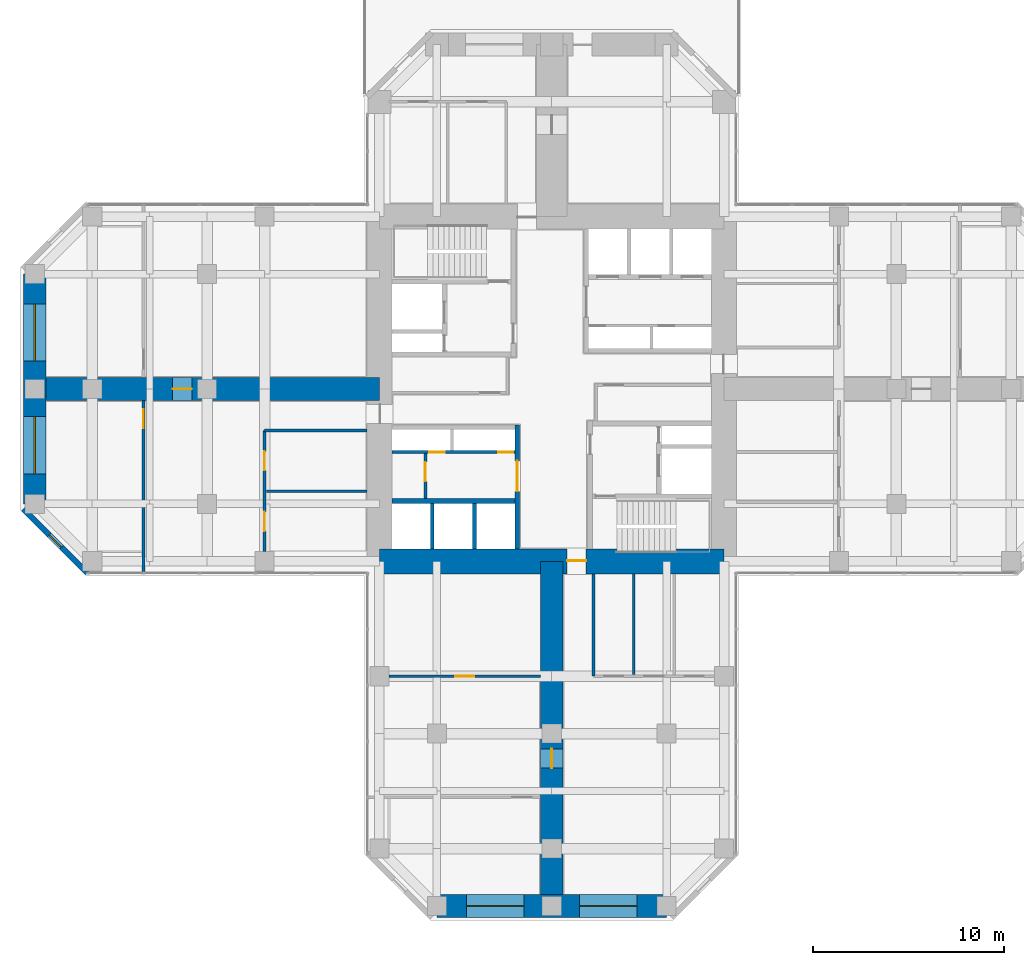
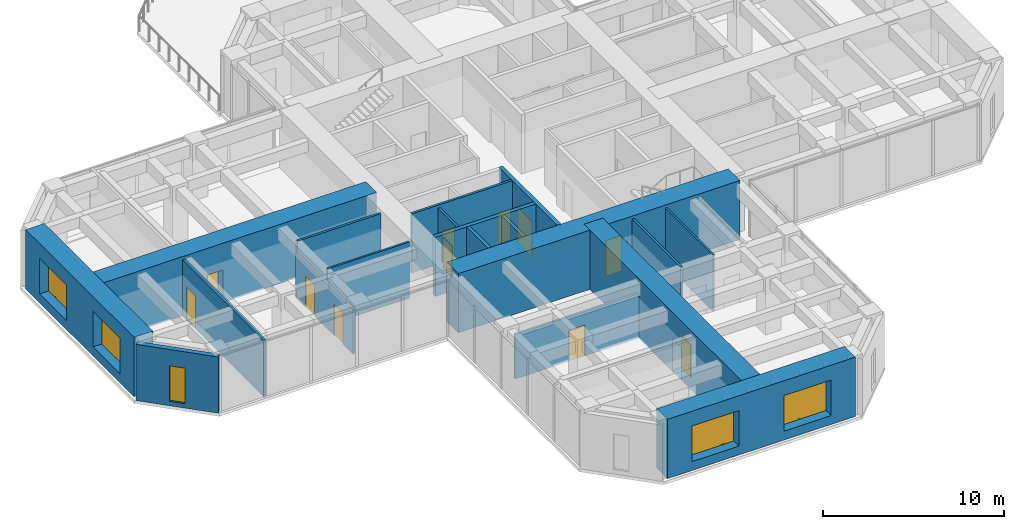
# One storey, part 8 of 12: 19 walls, 11 doors, 5 windows, 16 openings.
"""IFC4 building model written with IfcOpenShell, lengths in metres."""

from ifc_helpers import new_model, si_unit, direction, frame, frame_2d, origin, place, context, subcontext, project, spatial, rectangle, hollow_rectangle, extrude, material, layer, layer_set, constituent, constituent_set, type_object, element, fill, save


model = new_model("IFC4")

# Units and contexts
model_context = context("Model", 3, precision=1e-05, world=origin(), true_north=direction((0.0, 1.0)))
body_context = subcontext(model_context, "Body", "Model", "MODEL_VIEW")
ifc_project = project(units=[si_unit("LENGTHUNIT", "METRE"), si_unit("AREAUNIT", "SQUARE_METRE"), si_unit("VOLUMEUNIT", "CUBIC_METRE"), si_unit("PLANEANGLEUNIT", "RADIAN"), si_unit("MASSUNIT", "GRAM", prefix="KILO")], contexts=[model_context])

# Site, building, storey
site_placement = place(None, origin())
site = spatial("IfcSite", under=ifc_project, at=site_placement, CompositionType="ELEMENT")
building_placement = place(site_placement, origin())
building = spatial("IfcBuilding", under=site, at=building_placement, Name="Torre Cruceta", CompositionType="ELEMENT")
storey_placement = place(building_placement, frame((0.0, 0.0, 100.5)))
storey = spatial("IfcBuildingStorey", under=building, at=storey_placement, Name="L24", CompositionType="ELEMENT", Elevation=100.5)

# Wall, opening, door
ifc_material_1 = material(Name="Concrete G60 (fck 60 MPa)", Category="concrete")
ifc_layer_1 = layer(ifc_material_1, 0.25)
ifc_layer_set_1 = layer_set([ifc_layer_1], Name="Concrete G60 (fck 60 MPa)")
wall_type_1 = type_object("IfcWallType", Name="CORE INNER WALL 250 G60", PredefinedType="SHEAR", material=ifc_layer_set_1)
wall_1_placement = place(storey_placement, frame((-1.800048828125, -1.875, 0.0), z_axis=(0.0, 0.0, 1.0), x_axis=(0.0, -1.0, 0.0)))
wall_1 = element("IfcWall", 1, at=wall_1_placement, inside=storey, type_object=wall_type_1, Name="CW4 L24 SW-CU", PredefinedType="SHEAR", context=body_context, shape_type="SweptSolid", body=[
    extrude(rectangle(XDim=6.47509765625, YDim=0.25, at=frame_2d((3.237548828125, 0.0))), origin(), (0.0, 0.0, 1.0), 4.0),
])
opening_1_placement = place(wall_1_placement, frame((1.875, 0.0, 0.0)))
opening_1 = element("IfcOpeningElement", 2, at=opening_1_placement, cuts=wall_1, Name="Opening D15", PredefinedType="OPENING", context=body_context, shape_type="SweptSolid", body=[
    extrude(rectangle(XDim=1.60009765625, YDim=2.39990234375, at=frame_2d((0.800048828125, 1.199951171875))), frame((0.0, 0.135009765625, 0.0), z_axis=(0.0, -1.0, 0.0), x_axis=(1.0, 0.0, 0.0)), (0.0, 0.0, 1.0), 0.27001953125),
])
ifc_material_2 = material(Name="Steel DX51D", Category="steel")
ifc_constituent_1 = constituent(ifc_material_2, Name="Leaf and frame")
ifc_material_3 = material(Name="Polyester powder coating", Category="paint")
ifc_constituent_2 = constituent(ifc_material_3, Name="Finish")
ifc_constituent_set_1 = constituent_set(constituents=[ifc_constituent_1, ifc_constituent_2], Name="Steel fire door")
door_type_1 = type_object("IfcDoorType", Name="CORE ROOM DOUBLE DOOR 1600X2400", OperationType="DOUBLE_DOOR_SINGLE_SWING", PredefinedType="DOOR", material=ifc_constituent_set_1)
door_1_placement = place(opening_1_placement, frame((1.60009765625, 0.0, 0.0), z_axis=(0.0, 0.0, 1.0), x_axis=(-1.0, 0.0, 0.0)))
door_1 = element("IfcDoor", 3, at=door_1_placement, inside=storey, type_object=door_type_1, Name="D15 L24 SW-LOBBY", OperationType="DOUBLE_DOOR_SINGLE_SWING", OverallHeight=2.39990234375, OverallWidth=1.60009765625, PredefinedType="DOOR", context=body_context, shape_type="SweptSolid", body=[
    extrude(rectangle(XDim=1.60009765625, YDim=2.39990234375, at=frame_2d((0.800048828125, 1.199951171875))), frame((0.0, 0.025146484375, 0.0), z_axis=(0.0, -1.0, 0.0), x_axis=(1.0, 0.0, 0.0)), (0.0, 0.0, 1.0), 0.050048828125),
])
fill(opening_1, door_1)

# Wall
wall_2_placement = place(storey_placement, frame((-1.925048828125, -5.85009765625, 0.0), z_axis=(0.0, 0.0, 1.0), x_axis=(-1.0, 0.0, 0.0)))
element("IfcWall", 4, at=wall_2_placement, inside=storey, type_object=wall_type_1, Name="CW4 L24 SW-LV", PredefinedType="SHEAR", context=body_context, shape_type="SweptSolid", body=[
    extrude(rectangle(XDim=6.425048828125, YDim=0.25, at=frame_2d((3.21240234375, 0.0))), origin(), (0.0, 0.0, 1.0), 4.0),
])

# Wall, opening, door
ifc_material_4 = material(Name="Concrete G60 (fck 60 MPa)", Category="concrete")
ifc_layer_2 = layer(ifc_material_4, 1.300048828125)
ifc_layer_set_2 = layer_set([ifc_layer_2], Name="Concrete G60 (fck 60 MPa)")
wall_type_2 = type_object("IfcWallType", Name="CORE WALL 1300 G60", PredefinedType="SHEAR", material=ifc_layer_set_2)
wall_3_placement = place(storey_placement, frame((-9.0, -9.0, 0.0), z_axis=(0.0, 0.0, 1.0), x_axis=(1.0, 0.0, 0.0)))
wall_3 = element("IfcWall", 5, at=wall_3_placement, inside=storey, type_object=wall_type_2, Name="CW1 L24 CW-S", PredefinedType="SHEAR", context=body_context, shape_type="SweptSolid", body=[
    extrude(rectangle(XDim=18.0, YDim=1.300048828125, at=frame_2d((9.0, 0.0))), origin(), (0.0, 0.0, 1.0), 4.0),
])
opening_2_placement = place(wall_3_placement, frame((9.800048828125, 0.0, 0.0)))
opening_2 = element("IfcOpeningElement", 6, at=opening_2_placement, cuts=wall_3, Name="Opening D4", PredefinedType="OPENING", context=body_context, shape_type="SweptSolid", body=[
    extrude(rectangle(XDim=1.0, YDim=2.39990234375, at=frame_2d((0.5, 1.199951171875))), frame((0.0, 0.659912109375, 0.0), z_axis=(0.0, -1.0, 0.0), x_axis=(1.0, 0.0, 0.0)), (0.0, 0.0, 1.0), 1.320068359375),
])
ifc_material_5 = material(Name="Steel DX51D", Category="steel")
ifc_constituent_3 = constituent(ifc_material_5, Name="Leaf and frame")
ifc_material_6 = material(Name="Polyester powder coating", Category="paint")
ifc_constituent_4 = constituent(ifc_material_6, Name="Finish")
ifc_constituent_set_2 = constituent_set(constituents=[ifc_constituent_3, ifc_constituent_4], Name="Steel fire door")
door_type_2 = type_object("IfcDoorType", Name="CORE ARM DOOR 1000X2400", OperationType="SINGLE_SWING_RIGHT", PredefinedType="DOOR", material=ifc_constituent_set_2)
door_2_placement = place(opening_2_placement, frame((1.0, 0.0, 0.0), z_axis=(0.0, 0.0, 1.0), x_axis=(-1.0, 0.0, 0.0)))
door_2 = element("IfcDoor", 7, at=door_2_placement, inside=storey, type_object=door_type_2, Name="D4 L24 CW-S", OperationType="SINGLE_SWING_RIGHT", OverallHeight=2.39990234375, OverallWidth=1.0, PredefinedType="DOOR", context=body_context, shape_type="SweptSolid", body=[
    extrude(rectangle(XDim=1.0, YDim=2.39990234375, at=frame_2d((0.5, 1.199951171875))), frame((0.0, -0.005126953125, 0.0), z_axis=(0.0, -1.0, 0.0), x_axis=(1.0, 0.0, 0.0)), (0.0, 0.0, 1.0), 0.050048828125),
])
fill(opening_2, door_2)

# Wall, opening, window
ifc_material_7 = material(Name="Concrete G30 (fck 30 MPa)", Category="concrete")
ifc_layer_3 = layer(ifc_material_7, 0.300048828125)
ifc_layer_set_3 = layer_set([ifc_layer_3], Name="Concrete G30 (fck 30 MPa)")
wall_type_3 = type_object("IfcWallType", Name="EXPOSED CONCRETE FACADE WALL 300", PredefinedType="SOLIDWALL", material=ifc_layer_set_3)
wall_4_placement = place(storey_placement, frame((-27.60009765625, -6.27685546875, 0.0), z_axis=(0.0, 0.0, 1.0), x_axis=(0.707106781187, -0.707106781187, 0.0)))
wall_4 = element("IfcWall", 8, at=wall_4_placement, inside=storey, type_object=wall_type_3, Name="EW1 facade wall L24 W chamfer 13", PredefinedType="SOLIDWALL", context=body_context, shape_type="SweptSolid", body=[
    extrude(rectangle(XDim=4.72802734375, YDim=0.300048828125, at=frame_2d((2.364013671875, 0.0))), origin(), (0.0, 0.0, 1.0), 3.800048828125),
])
opening_3_placement = place(wall_4_placement, frame((1.9140625, 0.0, 0.300048828125)))
opening_3 = element("IfcOpeningElement", 9, at=opening_3_placement, cuts=wall_4, Name="Opening WN5", PredefinedType="OPENING", context=body_context, shape_type="SweptSolid", body=[
    extrude(rectangle(XDim=0.89990234375, YDim=2.39990234375, at=frame_2d((0.449951171875, 1.199951171875))), frame((0.0, 0.159912109375, 0.0), z_axis=(0.0, -1.0, 0.0), x_axis=(1.0, 0.0, 0.0)), (0.0, 0.0, 1.0), 0.320068359375),
])
ifc_material_8 = material(Name="Aluminium window frame", Category="aluminium")
ifc_constituent_5 = constituent(ifc_material_8, Name="Frame")
ifc_material_9 = material(Name="Laminated insulating glass unit, low-iron clear", Category="glass")
ifc_constituent_6 = constituent(ifc_material_9, Name="Glazing")
ifc_constituent_set_3 = constituent_set(constituents=[ifc_constituent_5, ifc_constituent_6], Name="Aluminium window")
window_type_1 = type_object("IfcWindowType", Name="CHAMFER SLOT WINDOW 900X2400", PartitioningType="SINGLE_PANEL", PredefinedType="WINDOW", material=ifc_constituent_set_3)
window_1_placement = place(opening_3_placement, origin())
window_1 = element("IfcWindow", 10, at=window_1_placement, inside=storey, type_object=window_type_1, Name="WN5 L24 W 1", OverallHeight=2.39990234375, OverallWidth=0.89990234375, PartitioningType="SINGLE_PANEL", PredefinedType="WINDOW", context=body_context, shape_type="SweptSolid", body=[
    extrude(hollow_rectangle(XDim=0.89990234375, YDim=2.39990234375, WallThickness=0.06005859375, at=frame_2d((0.449951171875, 1.199951171875))), frame((0.0, 0.030029296875, 0.0), z_axis=(0.0, -1.0, 0.0), x_axis=(1.0, 0.0, 0.0)), (0.0, 0.0, 1.0), 0.06005859375),
    extrude(rectangle(XDim=0.77880859375, YDim=2.27880859375, at=frame_2d((0.449951171875, 1.199951171875))), frame((0.0, 0.030029296875, 0.0), z_axis=(0.0, -1.0, 0.0), x_axis=(1.0, 0.0, 0.0)), (0.0, 0.0, 1.0), 0.06005859375),
])
fill(opening_3, window_1)

# Walls
ifc_material_10 = material(Name="Concrete G35 (fck 35 MPa)", Category="concrete")
ifc_layer_4 = layer(ifc_material_10, 0.199951171875)
ifc_layer_set_4 = layer_set([ifc_layer_4], Name="Concrete G35 (fck 35 MPa)")
wall_type_4 = type_object("IfcWallType", Name="LIFT SHAFT WALL 200", PredefinedType="PARTITIONING", material=ifc_layer_set_4)
for number, where, z_axis, x_axis, name in (
    (11, (-4.033447265625, -5.97509765625, 0.0), (0.0, 0.0, 1.0), (0.0, -1.0, 0.0), "SW1 L24 SW-LS1"),
    (12, (-6.24169921875, -5.97509765625, 0.0), (0.0, 0.0, 1.0), (0.0, -1.0, 0.0), "SW1 L24 SW-LS2"),
):
    element("IfcWall", number, at=place(storey_placement, frame(where, z_axis=z_axis, x_axis=x_axis)), inside=storey, type_object=wall_type_4, Name=name, PredefinedType="PARTITIONING", context=body_context, shape_type="SweptSolid", body=[
        extrude(rectangle(XDim=2.375, YDim=0.199951171875, at=frame_2d((1.1875, 0.0))), origin(), (0.0, 0.0, 1.0), 4.0),
    ])

# Wall, openings, windows
ifc_material_11 = material(Name="Concrete G60 (fck 60 MPa)", Category="concrete")
ifc_layer_5 = layer(ifc_material_11, 1.199951171875)
ifc_layer_set_5 = layer_set([ifc_layer_5], Name="Concrete G60 (fck 60 MPa)")
wall_type_5 = type_object("IfcWallType", Name="NOSE WALL 1200 G60", PredefinedType="SHEAR", material=ifc_layer_set_5)
wall_5_placement = place(storey_placement, frame((-6.0, -27.0, 0.0), z_axis=(0.0, 0.0, 1.0), x_axis=(1.0, 0.0, 0.0)))
wall_5 = element("IfcWall", 13, at=wall_5_placement, inside=storey, type_object=wall_type_5, Name="NW1 nose wall L24 S", PredefinedType="SHEAR", context=body_context, shape_type="SweptSolid", body=[
    extrude(rectangle(XDim=12.0, YDim=1.199951171875, at=frame_2d((6.0, 0.0))), origin(), (0.0, 0.0, 1.0), 4.0),
])
opening_4_placement = place(wall_5_placement, frame((1.550048828125, 0.0, 0.60009765625)))
opening_4 = element("IfcOpeningElement", 14, at=opening_4_placement, cuts=wall_5, Name="Opening WN6", PredefinedType="OPENING", context=body_context, shape_type="SweptSolid", body=[
    extrude(rectangle(XDim=3.0, YDim=2.39990234375, at=frame_2d((1.5, 1.199951171875))), frame((0.0, 0.60986328125, 0.0), z_axis=(0.0, -1.0, 0.0), x_axis=(1.0, 0.0, 0.0)), (0.0, 0.0, 1.0), 1.219970703125),
])
opening_5_placement = place(wall_5_placement, frame((7.449951171875, 0.0, 0.60009765625)))
opening_5 = element("IfcOpeningElement", 15, at=opening_5_placement, cuts=wall_5, Name="Opening WN6", PredefinedType="OPENING", context=body_context, shape_type="SweptSolid", body=[
    extrude(rectangle(XDim=3.0, YDim=2.39990234375, at=frame_2d((1.5, 1.199951171875))), frame((0.0, 0.60986328125, 0.0), z_axis=(0.0, -1.0, 0.0), x_axis=(1.0, 0.0, 0.0)), (0.0, 0.0, 1.0), 1.219970703125),
])
ifc_material_12 = material(Name="Aluminium window frame", Category="aluminium")
ifc_constituent_7 = constituent(ifc_material_12, Name="Frame")
ifc_material_13 = material(Name="Laminated insulating glass unit, low-iron clear", Category="glass")
ifc_constituent_8 = constituent(ifc_material_13, Name="Glazing")
ifc_constituent_set_4 = constituent_set(constituents=[ifc_constituent_7, ifc_constituent_8], Name="Aluminium window")
window_type_2 = type_object("IfcWindowType", Name="NOSE WALL WINDOW 3000X2400", PartitioningType="SINGLE_PANEL", PredefinedType="WINDOW", material=ifc_constituent_set_4)
window_2_placement = place(opening_4_placement, origin())
window_2 = element("IfcWindow", 16, at=window_2_placement, inside=storey, type_object=window_type_2, Name="WN6 L24 S 1", OverallHeight=2.39990234375, OverallWidth=3.0, PartitioningType="SINGLE_PANEL", PredefinedType="WINDOW", context=body_context, shape_type="SweptSolid", body=[
    extrude(hollow_rectangle(XDim=3.0, YDim=2.39990234375, WallThickness=0.06005859375, at=frame_2d((1.5, 1.199951171875))), frame((0.0, 0.030029296875, 0.0), z_axis=(0.0, -1.0, 0.0), x_axis=(1.0, 0.0, 0.0)), (0.0, 0.0, 1.0), 0.06005859375),
    extrude(rectangle(XDim=2.87890625, YDim=2.27880859375, at=frame_2d((1.5, 1.199951171875))), frame((0.0, 0.030029296875, 0.0), z_axis=(0.0, -1.0, 0.0), x_axis=(1.0, 0.0, 0.0)), (0.0, 0.0, 1.0), 0.06005859375),
])
fill(opening_4, window_2)
window_3_placement = place(opening_5_placement, origin())
window_3 = element("IfcWindow", 17, at=window_3_placement, inside=storey, type_object=window_type_2, Name="WN6 L24 S 2", OverallHeight=2.39990234375, OverallWidth=3.0, PartitioningType="SINGLE_PANEL", PredefinedType="WINDOW", context=body_context, shape_type="SweptSolid", body=[
    extrude(hollow_rectangle(XDim=3.0, YDim=2.39990234375, WallThickness=0.06005859375, at=frame_2d((1.5, 1.199951171875))), frame((0.0, 0.030029296875, 0.0), z_axis=(0.0, -1.0, 0.0), x_axis=(1.0, 0.0, 0.0)), (0.0, 0.0, 1.0), 0.06005859375),
    extrude(rectangle(XDim=2.87890625, YDim=2.27880859375, at=frame_2d((1.5, 1.199951171875))), frame((0.0, 0.030029296875, 0.0), z_axis=(0.0, -1.0, 0.0), x_axis=(1.0, 0.0, 0.0)), (0.0, 0.0, 1.0), 0.06005859375),
])
fill(opening_5, window_3)

wall_6_placement = place(storey_placement, frame((-27.0, 6.0, 0.0), z_axis=(0.0, 0.0, 1.0), x_axis=(0.0, -1.0, 0.0)))
wall_6 = element("IfcWall", 18, at=wall_6_placement, inside=storey, type_object=wall_type_5, Name="NW1 nose wall L24 W", PredefinedType="SHEAR", context=body_context, shape_type="SweptSolid", body=[
    extrude(rectangle(XDim=12.0, YDim=1.199951171875, at=frame_2d((6.0, 0.0))), origin(), (0.0, 0.0, 1.0), 4.0),
])
opening_6_placement = place(wall_6_placement, frame((1.550048828125, 0.0, 0.60009765625)))
opening_6 = element("IfcOpeningElement", 19, at=opening_6_placement, cuts=wall_6, Name="Opening WN6", PredefinedType="OPENING", context=body_context, shape_type="SweptSolid", body=[
    extrude(rectangle(XDim=3.0, YDim=2.39990234375, at=frame_2d((1.5, 1.199951171875))), frame((0.0, 0.60986328125, 0.0), z_axis=(0.0, -1.0, 0.0), x_axis=(1.0, 0.0, 0.0)), (0.0, 0.0, 1.0), 1.219970703125),
])
opening_7_placement = place(wall_6_placement, frame((7.449951171875, 0.0, 0.60009765625)))
opening_7 = element("IfcOpeningElement", 20, at=opening_7_placement, cuts=wall_6, Name="Opening WN6", PredefinedType="OPENING", context=body_context, shape_type="SweptSolid", body=[
    extrude(rectangle(XDim=3.0, YDim=2.39990234375, at=frame_2d((1.5, 1.199951171875))), frame((0.0, 0.60986328125, 0.0), z_axis=(0.0, -1.0, 0.0), x_axis=(1.0, 0.0, 0.0)), (0.0, 0.0, 1.0), 1.219970703125),
])
window_4_placement = place(opening_6_placement, origin())
window_4 = element("IfcWindow", 21, at=window_4_placement, inside=storey, type_object=window_type_2, Name="WN6 L24 W 1", OverallHeight=2.39990234375, OverallWidth=3.0, PartitioningType="SINGLE_PANEL", PredefinedType="WINDOW", context=body_context, shape_type="SweptSolid", body=[
    extrude(hollow_rectangle(XDim=3.0, YDim=2.39990234375, WallThickness=0.06005859375, at=frame_2d((1.5, 1.199951171875))), frame((0.0, 0.030029296875, 0.0), z_axis=(0.0, -1.0, 0.0), x_axis=(1.0, 0.0, 0.0)), (0.0, 0.0, 1.0), 0.06005859375),
    extrude(rectangle(XDim=2.87890625, YDim=2.27880859375, at=frame_2d((1.5, 1.199951171875))), frame((0.0, 0.030029296875, 0.0), z_axis=(0.0, -1.0, 0.0), x_axis=(1.0, 0.0, 0.0)), (0.0, 0.0, 1.0), 0.06005859375),
])
fill(opening_6, window_4)
window_5_placement = place(opening_7_placement, origin())
window_5 = element("IfcWindow", 22, at=window_5_placement, inside=storey, type_object=window_type_2, Name="WN6 L24 W 2", OverallHeight=2.39990234375, OverallWidth=3.0, PartitioningType="SINGLE_PANEL", PredefinedType="WINDOW", context=body_context, shape_type="SweptSolid", body=[
    extrude(hollow_rectangle(XDim=3.0, YDim=2.39990234375, WallThickness=0.06005859375, at=frame_2d((1.5, 1.199951171875))), frame((0.0, 0.030029296875, 0.0), z_axis=(0.0, -1.0, 0.0), x_axis=(1.0, 0.0, 0.0)), (0.0, 0.0, 1.0), 0.06005859375),
    extrude(rectangle(XDim=2.87890625, YDim=2.27880859375, at=frame_2d((1.5, 1.199951171875))), frame((0.0, 0.030029296875, 0.0), z_axis=(0.0, -1.0, 0.0), x_axis=(1.0, 0.0, 0.0)), (0.0, 0.0, 1.0), 0.06005859375),
])
fill(opening_7, window_5)

# Wall, opening, door
ifc_material_14 = material(Name="Plasterboard on steel studs", Category="steel")
ifc_layer_6 = layer(ifc_material_14, 0.14990234375)
ifc_layer_set_6 = layer_set([ifc_layer_6], Name="Plasterboard on steel studs")
wall_type_6 = type_object("IfcWallType", Name="PARTITION 150", PredefinedType="PARTITIONING", material=ifc_layer_set_6)
wall_7_placement = place(storey_placement, frame((-6.60009765625, -3.375, 0.0), z_axis=(0.0, 0.0, 1.0), x_axis=(0.0, -1.0, 0.0)))
wall_7 = element("IfcWall", 23, at=wall_7_placement, inside=storey, type_object=wall_type_6, Name="PT1 L24-CORE-SW-X", PredefinedType="PARTITIONING", context=body_context, shape_type="SweptSolid", body=[
    extrude(rectangle(XDim=2.35009765625, YDim=0.14990234375, at=frame_2d((1.175048828125, 0.0))), origin(), (0.0, 0.0, 1.0), 3.800048828125),
])
opening_8_placement = place(wall_7_placement, frame((0.449951171875, 0.0, 0.0)))
opening_8 = element("IfcOpeningElement", 24, at=opening_8_placement, cuts=wall_7, Name="Opening D3", PredefinedType="OPENING", context=body_context, shape_type="SweptSolid", body=[
    extrude(rectangle(XDim=1.0, YDim=2.10009765625, at=frame_2d((0.5, 1.050048828125))), frame((0.0, 0.0849609375, 0.0), z_axis=(0.0, -1.0, 0.0), x_axis=(1.0, 0.0, 0.0)), (0.0, 0.0, 1.0), 0.169921875),
])
ifc_material_15 = material(Name="Steel DX51D", Category="steel")
ifc_constituent_9 = constituent(ifc_material_15, Name="Leaf and frame")
ifc_material_16 = material(Name="Polyester powder coating", Category="paint")
ifc_constituent_10 = constituent(ifc_material_16, Name="Finish")
ifc_constituent_set_5 = constituent_set(constituents=[ifc_constituent_9, ifc_constituent_10], Name="Steel fire door")
door_type_3 = type_object("IfcDoorType", Name="FIRE DOOR 1000X2100", OperationType="SINGLE_SWING_LEFT", PredefinedType="DOOR", material=ifc_constituent_set_5)
door_3_placement = place(opening_8_placement, frame((1.0, 0.0, 0.0), z_axis=(0.0, 0.0, 1.0), x_axis=(-1.0, 0.0, 0.0)))
door_3 = element("IfcDoor", 25, at=door_3_placement, inside=storey, type_object=door_type_3, Name="D3 L24-CORE-SW-X-D1", OperationType="SINGLE_SWING_RIGHT", OverallHeight=2.10009765625, OverallWidth=1.0, PredefinedType="DOOR", context=body_context, shape_type="SweptSolid", body=[
    extrude(rectangle(XDim=1.0, YDim=2.10009765625, at=frame_2d((0.5, 1.050048828125))), frame((0.0, 0.025146484375, 0.0), z_axis=(0.0, -1.0, 0.0), x_axis=(1.0, 0.0, 0.0)), (0.0, 0.0, 1.0), 0.050048828125),
])
fill(opening_8, door_3)

# Wall
wall_8_placement = place(storey_placement, frame((2.175048828125, -9.64990234375, 0.0), z_axis=(0.0, 0.0, 1.0), x_axis=(0.0, -1.0, 0.0)))
element("IfcWall", 26, at=wall_8_placement, inside=storey, type_object=wall_type_6, Name="PT1 L24-S-BSL", PredefinedType="PARTITIONING", context=body_context, shape_type="SweptSolid", body=[
    extrude(rectangle(XDim=5.35009765625, YDim=0.14990234375, at=frame_2d((2.675048828125, 0.0))), origin(), (0.0, 0.0, 1.0), 3.800048828125),
])

# Wall, opening, door
wall_9_placement = place(storey_placement, frame((-8.5, -15.0, 0.0), z_axis=(0.0, 0.0, 1.0), x_axis=(1.0, 0.0, 0.0)))
wall_9 = element("IfcWall", 27, at=wall_9_placement, inside=storey, type_object=wall_type_6, Name="PT1 L24-S-BFR", PredefinedType="PARTITIONING", context=body_context, shape_type="SweptSolid", body=[
    extrude(rectangle(XDim=7.89990234375, YDim=0.14990234375, at=frame_2d((3.949951171875, 0.0))), origin(), (0.0, 0.0, 1.0), 3.0),
])
opening_9_placement = place(wall_9_placement, frame((3.449951171875, 0.0, 0.0)))
opening_9 = element("IfcOpeningElement", 28, at=opening_9_placement, cuts=wall_9, Name="Opening D3", PredefinedType="OPENING", context=body_context, shape_type="SweptSolid", body=[
    extrude(rectangle(XDim=1.0, YDim=2.10009765625, at=frame_2d((0.5, 1.050048828125))), frame((0.0, 0.0849609375, 0.0), z_axis=(0.0, -1.0, 0.0), x_axis=(1.0, 0.0, 0.0)), (0.0, 0.0, 1.0), 0.169921875),
])
door_4_placement = place(opening_9_placement, origin())
door_4 = element("IfcDoor", 29, at=door_4_placement, inside=storey, type_object=door_type_3, Name="D3 L24-S-BFR-D1", OperationType="SINGLE_SWING_RIGHT", OverallHeight=2.10009765625, OverallWidth=1.0, PredefinedType="DOOR", context=body_context, shape_type="SweptSolid", body=[
    extrude(rectangle(XDim=1.0, YDim=2.10009765625, at=frame_2d((0.5, 1.050048828125))), frame((0.0, 0.02490234375, 0.0), z_axis=(0.0, -1.0, 0.0), x_axis=(1.0, 0.0, 0.0)), (0.0, 0.0, 1.0), 0.050048828125),
])
fill(opening_9, door_4)

# Wall, openings, doors
wall_10_placement = place(storey_placement, frame((-15.0, -2.175048828125, 0.0), z_axis=(0.0, 0.0, 1.0), x_axis=(0.0, -1.0, 0.0)))
wall_10 = element("IfcWall", 30, at=wall_10_placement, inside=storey, type_object=wall_type_6, Name="PT1 L24-W-BFL", PredefinedType="PARTITIONING", context=body_context, shape_type="SweptSolid", body=[
    extrude(rectangle(XDim=6.324951171875, YDim=0.14990234375, at=frame_2d((3.16259765625, 0.0))), origin(), (0.0, 0.0, 1.0), 3.0),
])
opening_10_placement = place(wall_10_placement, frame((1.081298828125, 0.0, 0.0)))
opening_10 = element("IfcOpeningElement", 31, at=opening_10_placement, cuts=wall_10, Name="Opening D3", PredefinedType="OPENING", context=body_context, shape_type="SweptSolid", body=[
    extrude(rectangle(XDim=1.0, YDim=2.10009765625, at=frame_2d((0.5, 1.050048828125))), frame((0.0, 0.0849609375, 0.0), z_axis=(0.0, -1.0, 0.0), x_axis=(1.0, 0.0, 0.0)), (0.0, 0.0, 1.0), 0.169921875),
])
opening_11_placement = place(wall_10_placement, frame((4.243896484375, 0.0, 0.0)))
opening_11 = element("IfcOpeningElement", 32, at=opening_11_placement, cuts=wall_10, Name="Opening D3", PredefinedType="OPENING", context=body_context, shape_type="SweptSolid", body=[
    extrude(rectangle(XDim=1.0, YDim=2.10009765625, at=frame_2d((0.5, 1.050048828125))), frame((0.0, 0.0849609375, 0.0), z_axis=(0.0, -1.0, 0.0), x_axis=(1.0, 0.0, 0.0)), (0.0, 0.0, 1.0), 0.169921875),
])
door_5_placement = place(opening_10_placement, origin())
door_5 = element("IfcDoor", 33, at=door_5_placement, inside=storey, type_object=door_type_3, Name="D3 L24-W-BFL-D1", OperationType="SINGLE_SWING_LEFT", OverallHeight=2.10009765625, OverallWidth=1.0, PredefinedType="DOOR", context=body_context, shape_type="SweptSolid", body=[
    extrude(rectangle(XDim=1.0, YDim=2.10009765625, at=frame_2d((0.5, 1.050048828125))), frame((0.0, 0.02490234375, 0.0), z_axis=(0.0, -1.0, 0.0), x_axis=(1.0, 0.0, 0.0)), (0.0, 0.0, 1.0), 0.050048828125),
])
fill(opening_10, door_5)
door_6_placement = place(opening_11_placement, origin())
door_6 = element("IfcDoor", 34, at=door_6_placement, inside=storey, type_object=door_type_3, Name="D3 L24-W-BFL-D2", OperationType="SINGLE_SWING_LEFT", OverallHeight=2.10009765625, OverallWidth=1.0, PredefinedType="DOOR", context=body_context, shape_type="SweptSolid", body=[
    extrude(rectangle(XDim=1.0, YDim=2.10009765625, at=frame_2d((0.5, 1.050048828125))), frame((0.0, 0.02490234375, 0.0), z_axis=(0.0, -1.0, 0.0), x_axis=(1.0, 0.0, 0.0)), (0.0, 0.0, 1.0), 0.050048828125),
])
fill(opening_11, door_6)

# Wall
wall_11_placement = place(storey_placement, frame((-9.64990234375, -2.175048828125, 0.0), z_axis=(0.0, 0.0, 1.0), x_axis=(-1.0, 0.0, 0.0)))
element("IfcWall", 35, at=wall_11_placement, inside=storey, type_object=wall_type_6, Name="PT1 L24-W-BSL", PredefinedType="PARTITIONING", context=body_context, shape_type="SweptSolid", body=[
    extrude(rectangle(XDim=5.35009765625, YDim=0.14990234375, at=frame_2d((2.675048828125, 0.0))), origin(), (0.0, 0.0, 1.0), 3.800048828125),
])

# Wall, opening, door
wall_12_placement = place(storey_placement, frame((-21.320068359375, -0.60009765625, 0.0), z_axis=(0.0, 0.0, 1.0), x_axis=(0.0, -1.0, 0.0)))
wall_12 = element("IfcWall", 36, at=wall_12_placement, inside=storey, type_object=wall_type_6, Name="PT1 L24-W-TWL", PredefinedType="PARTITIONING", context=body_context, shape_type="SweptSolid", body=[
    extrude(rectangle(XDim=8.97998046875, YDim=0.14990234375, at=frame_2d((4.489990234375, 0.0))), origin(), (0.0, 0.0, 1.0), 3.800048828125),
])
opening_12_placement = place(wall_12_placement, frame((0.449951171875, 0.0, 0.0)))
opening_12 = element("IfcOpeningElement", 37, at=opening_12_placement, cuts=wall_12, Name="Opening D14", PredefinedType="OPENING", context=body_context, shape_type="SweptSolid", body=[
    extrude(rectangle(XDim=1.0, YDim=2.199951171875, at=frame_2d((0.5, 1.10009765625))), frame((0.0, 0.0849609375, 0.0), z_axis=(0.0, -1.0, 0.0), x_axis=(1.0, 0.0, 0.0)), (0.0, 0.0, 1.0), 0.169921875),
])
ifc_material_17 = material(Name="Steel DX51D", Category="steel")
ifc_constituent_11 = constituent(ifc_material_17, Name="Leaf and frame")
ifc_material_18 = material(Name="Polyester powder coating", Category="paint")
ifc_constituent_12 = constituent(ifc_material_18, Name="Finish")
ifc_material_19 = material(Name="Fire-resisting glass", Category="glass")
ifc_constituent_13 = constituent(ifc_material_19, Name="Vision panel")
ifc_constituent_set_6 = constituent_set(constituents=[ifc_constituent_11, ifc_constituent_12, ifc_constituent_13], Name="Steel fire door with vision panel")
door_type_4 = type_object("IfcDoorType", Name="FIRE DOOR VISION PANEL 1000X2200", OperationType="SINGLE_SWING_RIGHT", PredefinedType="DOOR", material=ifc_constituent_set_6)
door_7_placement = place(opening_12_placement, frame((1.0, 0.0, 0.0), z_axis=(0.0, 0.0, 1.0), x_axis=(-1.0, 0.0, 0.0)))
door_7 = element("IfcDoor", 38, at=door_7_placement, inside=storey, type_object=door_type_4, Name="D14 L24-W-TWL-D1", OperationType="SINGLE_SWING_RIGHT", OverallHeight=2.199951171875, OverallWidth=1.0, PredefinedType="DOOR", context=body_context, shape_type="SweptSolid", body=[
    extrude(rectangle(XDim=1.0, YDim=2.199951171875, at=frame_2d((0.5, 1.10009765625))), frame((0.0, 0.025146484375, 0.0), z_axis=(0.0, -1.0, 0.0), x_axis=(1.0, 0.0, 0.0)), (0.0, 0.0, 1.0), 0.050048828125),
])
fill(opening_12, door_7)

# Wall, openings, doors
ifc_material_20 = material(Name="Concrete block masonry", Category="masonry")
ifc_layer_7 = layer(ifc_material_20, 0.14990234375)
ifc_layer_set_7 = layer_set([ifc_layer_7], Name="Concrete block masonry")
wall_type_7 = type_object("IfcWallType", Name="RISER WALL 150", PredefinedType="PARTITIONING", material=ifc_layer_set_7)
wall_13_placement = place(storey_placement, frame((-1.925048828125, -3.300048828125, 0.0), z_axis=(0.0, 0.0, 1.0), x_axis=(-1.0, 0.0, 0.0)))
wall_13 = element("IfcWall", 39, at=wall_13_placement, inside=storey, type_object=wall_type_7, Name="SW7 L24 SW-RV", PredefinedType="PARTITIONING", context=body_context, shape_type="SweptSolid", body=[
    extrude(rectangle(XDim=6.425048828125, YDim=0.14990234375, at=frame_2d((3.21240234375, 0.0))), origin(), (0.0, 0.0, 1.0), 4.0),
])
opening_13_placement = place(wall_13_placement, frame((0.074951171875, 0.0, 0.0)))
opening_13 = element("IfcOpeningElement", 40, at=opening_13_placement, cuts=wall_13, Name="Opening D5", PredefinedType="OPENING", context=body_context, shape_type="SweptSolid", body=[
    extrude(rectangle(XDim=0.800048828125, YDim=2.10009765625, at=frame_2d((0.39990234375, 1.050048828125))), frame((0.0, 0.0849609375, 0.0), z_axis=(0.0, -1.0, 0.0), x_axis=(1.0, 0.0, 0.0)), (0.0, 0.0, 1.0), 0.169921875),
])
opening_14_placement = place(wall_13_placement, frame((3.675048828125, 0.0, 0.0)))
opening_14 = element("IfcOpeningElement", 41, at=opening_14_placement, cuts=wall_13, Name="Opening D5", PredefinedType="OPENING", context=body_context, shape_type="SweptSolid", body=[
    extrude(rectangle(XDim=0.800048828125, YDim=2.10009765625, at=frame_2d((0.39990234375, 1.050048828125))), frame((0.0, 0.0849609375, 0.0), z_axis=(0.0, -1.0, 0.0), x_axis=(1.0, 0.0, 0.0)), (0.0, 0.0, 1.0), 0.169921875),
])
ifc_material_21 = material(Name="Steel DX51D", Category="steel")
ifc_constituent_14 = constituent(ifc_material_21, Name="Leaf and frame")
ifc_material_22 = material(Name="Polyester powder coating", Category="paint")
ifc_constituent_15 = constituent(ifc_material_22, Name="Finish")
ifc_constituent_set_7 = constituent_set(constituents=[ifc_constituent_14, ifc_constituent_15], Name="Steel fire door")
door_type_5 = type_object("IfcDoorType", Name="RISER ACCESS DOOR 800X2100", OperationType="SINGLE_SWING_LEFT", PredefinedType="DOOR", material=ifc_constituent_set_7)
door_8_placement = place(opening_13_placement, frame((0.800048828125, 0.0, 0.0), z_axis=(0.0, 0.0, 1.0), x_axis=(-1.0, 0.0, 0.0)))
door_8 = element("IfcDoor", 42, at=door_8_placement, inside=storey, type_object=door_type_5, Name="D5 L24 SW-RISER1", OperationType="SINGLE_SWING_RIGHT", OverallHeight=2.10009765625, OverallWidth=0.800048828125, PredefinedType="DOOR", context=body_context, shape_type="SweptSolid", body=[
    extrude(rectangle(XDim=0.800048828125, YDim=2.10009765625, at=frame_2d((0.400146484375, 1.050048828125))), frame((0.0, 0.025146484375, 0.0), z_axis=(0.0, -1.0, 0.0), x_axis=(1.0, 0.0, 0.0)), (0.0, 0.0, 1.0), 0.050048828125),
])
fill(opening_13, door_8)
door_9_placement = place(opening_14_placement, frame((0.800048828125, 0.0, 0.0), z_axis=(0.0, 0.0, 1.0), x_axis=(-1.0, 0.0, 0.0)))
door_9 = element("IfcDoor", 43, at=door_9_placement, inside=storey, type_object=door_type_5, Name="D5 L24 SW-RISER2", OperationType="SINGLE_SWING_RIGHT", OverallHeight=2.10009765625, OverallWidth=0.800048828125, PredefinedType="DOOR", context=body_context, shape_type="SweptSolid", body=[
    extrude(rectangle(XDim=0.800048828125, YDim=2.10009765625, at=frame_2d((0.400146484375, 1.050048828125))), frame((0.0, 0.025146484375, 0.0), z_axis=(0.0, -1.0, 0.0), x_axis=(1.0, 0.0, 0.0)), (0.0, 0.0, 1.0), 0.050048828125),
])
fill(opening_14, door_9)

# Wall, opening, door
ifc_material_23 = material(Name="Concrete G60 (fck 60 MPa)", Category="concrete")
ifc_layer_8 = layer(ifc_material_23, 1.199951171875)
ifc_layer_set_8 = layer_set([ifc_layer_8], Name="Concrete G60 (fck 60 MPa)")
wall_type_8 = type_object("IfcWallType", Name="SPINE WALL 1200 G60", PredefinedType="SHEAR", material=ifc_layer_set_8)
wall_14_placement = place(storey_placement, frame((0.0, -9.0, 0.0), z_axis=(0.0, 0.0, 1.0), x_axis=(0.0, -1.0, 0.0)))
wall_14 = element("IfcWall", 44, at=wall_14_placement, inside=storey, type_object=wall_type_8, Name="SW3 spine wall L24 S", PredefinedType="SHEAR", context=body_context, shape_type="SweptSolid", body=[
    extrude(rectangle(XDim=18.0, YDim=1.199951171875, at=frame_2d((9.0, 0.0))), origin(), (0.0, 0.0, 1.0), 4.0),
])
opening_15_placement = place(wall_14_placement, frame((9.800048828125, 0.0, 0.0)))
opening_15 = element("IfcOpeningElement", 45, at=opening_15_placement, cuts=wall_14, Name="Opening D14", PredefinedType="OPENING", context=body_context, shape_type="SweptSolid", body=[
    extrude(rectangle(XDim=1.0, YDim=2.199951171875, at=frame_2d((0.5, 1.10009765625))), frame((0.0, 0.60986328125, 0.0), z_axis=(0.0, -1.0, 0.0), x_axis=(1.0, 0.0, 0.0)), (0.0, 0.0, 1.0), 1.219970703125),
])
door_10_placement = place(opening_15_placement, frame((1.0, 0.0, 0.0), z_axis=(0.0, 0.0, 1.0), x_axis=(-1.0, 0.0, 0.0)))
door_10 = element("IfcDoor", 46, at=door_10_placement, inside=storey, type_object=door_type_4, Name="D14 L24-S-SP1", OperationType="SINGLE_SWING_LEFT", OverallHeight=2.199951171875, OverallWidth=1.0, PredefinedType="DOOR", context=body_context, shape_type="SweptSolid", body=[
    extrude(rectangle(XDim=1.0, YDim=2.199951171875, at=frame_2d((0.5, 1.10009765625))), frame((0.0, 0.025146484375, 0.0), z_axis=(0.0, -1.0, 0.0), x_axis=(1.0, 0.0, 0.0)), (0.0, 0.0, 1.0), 0.050048828125),
])
fill(opening_15, door_10)

wall_15_placement = place(storey_placement, frame((-9.0, 0.0, 0.0), z_axis=(0.0, 0.0, 1.0), x_axis=(-1.0, 0.0, 0.0)))
wall_15 = element("IfcWall", 47, at=wall_15_placement, inside=storey, type_object=wall_type_8, Name="SW3 spine wall L24 W", PredefinedType="SHEAR", context=body_context, shape_type="SweptSolid", body=[
    extrude(rectangle(XDim=18.0, YDim=1.199951171875, at=frame_2d((9.0, 0.0))), origin(), (0.0, 0.0, 1.0), 4.0),
])
opening_16_placement = place(wall_15_placement, frame((9.800048828125, 0.0, 0.0)))
opening_16 = element("IfcOpeningElement", 48, at=opening_16_placement, cuts=wall_15, Name="Opening D14", PredefinedType="OPENING", context=body_context, shape_type="SweptSolid", body=[
    extrude(rectangle(XDim=1.0, YDim=2.199951171875, at=frame_2d((0.5, 1.10009765625))), frame((0.0, 0.60986328125, 0.0), z_axis=(0.0, -1.0, 0.0), x_axis=(1.0, 0.0, 0.0)), (0.0, 0.0, 1.0), 1.219970703125),
])
door_11_placement = place(opening_16_placement, origin())
door_11 = element("IfcDoor", 49, at=door_11_placement, inside=storey, type_object=door_type_4, Name="D14 L24-W-SP1", OperationType="SINGLE_SWING_RIGHT", OverallHeight=2.199951171875, OverallWidth=1.0, PredefinedType="DOOR", context=body_context, shape_type="SweptSolid", body=[
    extrude(rectangle(XDim=1.0, YDim=2.199951171875, at=frame_2d((0.5, 1.10009765625))), frame((0.0, 0.02490234375, 0.0), z_axis=(0.0, -1.0, 0.0), x_axis=(1.0, 0.0, 0.0)), (0.0, 0.0, 1.0), 0.050048828125),
])
fill(opening_16, door_11)

# Walls
ifc_material_24 = material(Name="Plasterboard on steel studs", Category="steel")
ifc_layer_9 = layer(ifc_material_24, 0.1201171875)
ifc_layer_set_9 = layer_set([ifc_layer_9], Name="Plasterboard on steel studs")
wall_type_9 = type_object("IfcWallType", Name="WC PARTITION 120", PredefinedType="PLUMBINGWALL", material=ifc_layer_set_9)
for number, where, z_axis, x_axis, name in (
    (50, (4.283447265625, -9.64990234375, 0.0), (0.0, 0.0, 1.0), (0.0, -1.0, 0.0), "PT5 L24-S-BDL1"),
    (51, (-9.64990234375, -5.33740234375, 0.0), (0.0, 0.0, 1.0), (-1.0, 0.0, 0.0), "PT5 L24-W-BDL1"),
):
    element("IfcWall", number, at=place(storey_placement, frame(where, z_axis=z_axis, x_axis=x_axis)), inside=storey, type_object=wall_type_9, Name=name, PredefinedType="PLUMBINGWALL", context=body_context, shape_type="SweptSolid", body=[
        extrude(rectangle(XDim=5.25, YDim=0.1201171875, at=frame_2d((2.625, 0.0))), origin(), (0.0, 0.0, 1.0), 3.800048828125),
    ])

save(model, "model.ifc")
